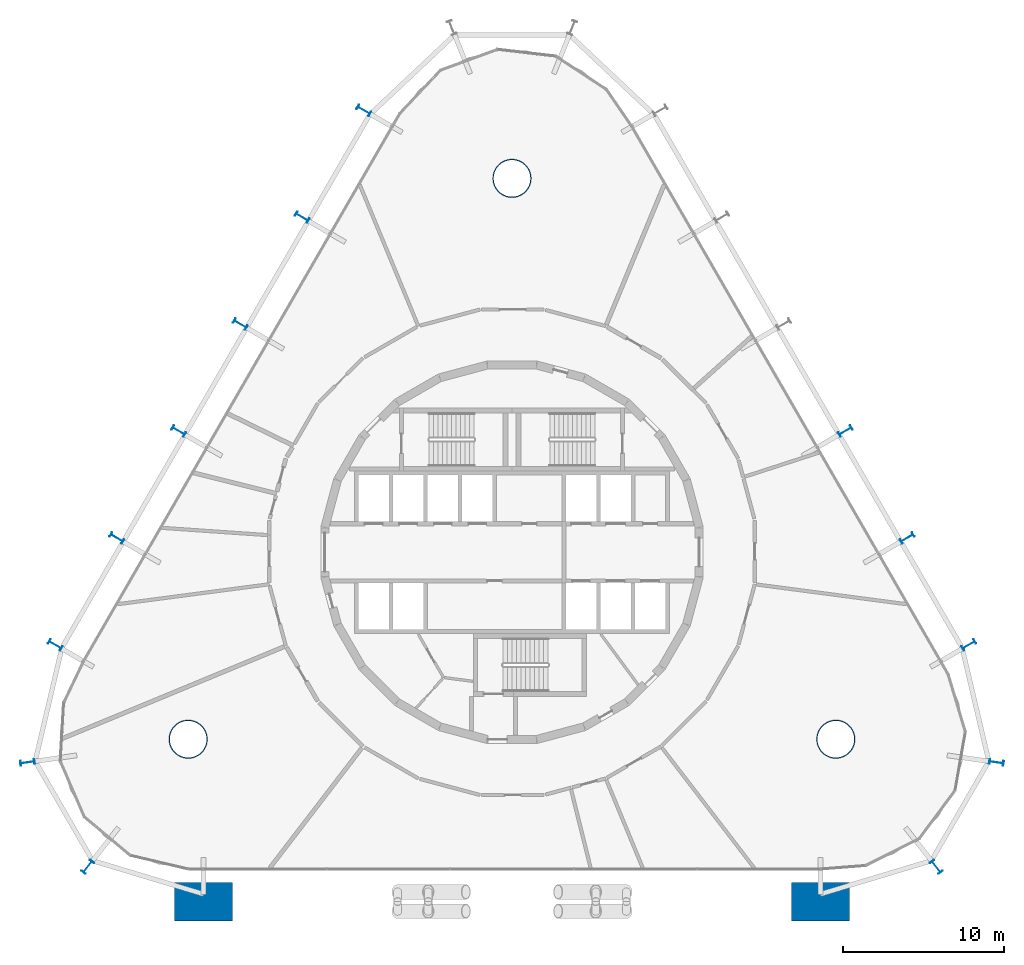
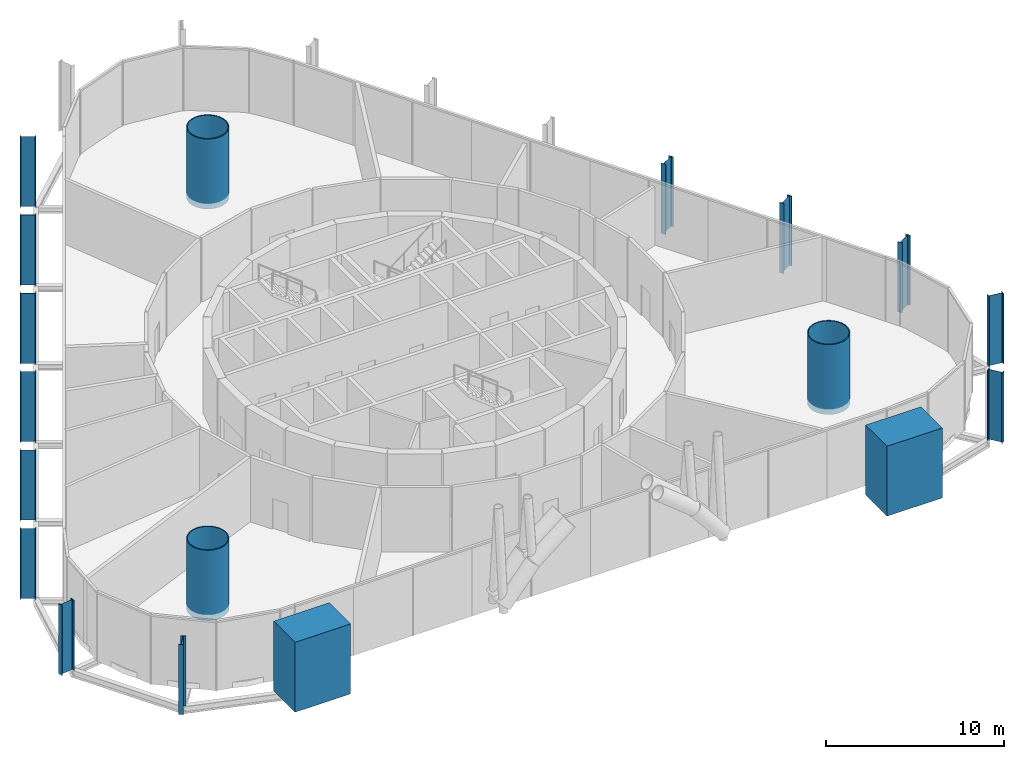
# One storey, part 1 of 17: 18 columns.
"""IFC4 building model written with IfcOpenShell, lengths in metres."""

import ifcopenshell
import ifcopenshell.guid

model = None  # the IFC model being written
_history = None  # IfcOwnerHistory: only IFC2X3 demands one
_inside = {}  # id of a spatial element -> (the spatial element, [elements in it])
_under = {}  # id of a project, library or spatial element -> (it, [spatial elements below it])
_declared = {}  # id of a project -> (the project, [libraries it declares])
_typed = {}  # id of a type object -> (the type object, [elements of that type])
_made_of = {}  # id of a material, layer set ... -> (it, [elements and type objects made of it])


def new_model(schema):
    """Start an empty IFC model of exactly this schema.

    Asked for "IFC4X3", IfcOpenShell would pick the latest addendum, in which some entities
    have other attributes; the version numbers below select the first issue.
    IFC2X3 requires an IfcOwnerHistory on every rooted entity: one is made here for all.
    """
    global model, _history
    if schema == "IFC4X3":
        model = ifcopenshell.file(schema_version=(4, 3, 0, 0))
    else:
        model = ifcopenshell.file(schema=schema)
    _inside.clear()
    _under.clear()
    _declared.clear()
    _typed.clear()
    _made_of.clear()
    _history = None
    if model.schema == "IFC2X3":
        org = make("IfcOrganization", Name="unknown")
        user = make(
            "IfcPersonAndOrganization",
            ThePerson=make("IfcPerson", FamilyName="unknown"),
            TheOrganization=org,
        )
        app = make(
            "IfcApplication",
            ApplicationDeveloper=org,
            Version="unknown",
            ApplicationFullName="unknown",
            ApplicationIdentifier="unknown",
        )
        _history = make(
            "IfcOwnerHistory",
            OwningUser=user,
            OwningApplication=app,
            ChangeAction="ADDED",
            CreationDate=0,
        )
    return model


def make(cls, **values):
    """One entity of the class cls with the attributes given. An attribute that is None is left unset."""
    return model.create_entity(
        cls, **{name: value for name, value in values.items() if value is not None}
    )


def rooted(cls, **values):
    """An entity with a GlobalId (a new one), such as an element, a storey or a relation."""
    return make(cls, GlobalId=ifcopenshell.guid.new(), OwnerHistory=_history, **values)


def si_unit(unit_type, name, prefix=None):
    """IfcSIUnit, for example si_unit("LENGTHUNIT", "METRE", prefix="MILLI")."""
    return make("IfcSIUnit", UnitType=unit_type, Prefix=prefix, Name=name)


def assignment(units):
    """IfcUnitAssignment: the units of a project."""
    return None if units is None else make("IfcUnitAssignment", Units=units)


def point(xyz):
    """IfcCartesianPoint."""
    return None if xyz is None else make("IfcCartesianPoint", Coordinates=xyz)


def direction(xyz):
    """IfcDirection."""
    return None if xyz is None else make("IfcDirection", DirectionRatios=xyz)


def frame(location, z_axis=None, x_axis=None):
    """IfcAxis2Placement3D, a coordinate frame: its origin and axes. An axis left out is left unset."""
    return make(
        "IfcAxis2Placement3D",
        Location=point(location),
        Axis=direction(z_axis),
        RefDirection=direction(x_axis),
    )


def frame_2d(location, x_axis=None):
    """IfcAxis2Placement2D, a coordinate frame in the plane: its origin and x axis."""
    return make(
        "IfcAxis2Placement2D", Location=point(location), RefDirection=direction(x_axis)
    )


def origin():
    """The frame at (0, 0, 0) with its axes left unset."""
    return frame((0.0, 0.0, 0.0))


def origin_2d():
    """The frame at (0, 0) in the plane with its x axis left unset."""
    return frame_2d((0.0, 0.0))


def place(relative_to, where):
    """IfcLocalPlacement: puts the frame where relative to a parent placement (None: the world)."""
    return make(
        "IfcLocalPlacement", PlacementRelTo=relative_to, RelativePlacement=where
    )


def context(
    kind, dimensions, precision=None, world=None, true_north=None, identifier=None
):
    """IfcGeometricRepresentationContext, for example the 3D "Model" context."""
    return make(
        "IfcGeometricRepresentationContext",
        ContextIdentifier=identifier,
        ContextType=kind,
        CoordinateSpaceDimension=dimensions,
        Precision=precision,
        WorldCoordinateSystem=world,
        TrueNorth=true_north,
    )


def subcontext(parent, identifier, kind, view, scale=None):
    """IfcGeometricRepresentationSubContext, for example "Body" below "Model"."""
    return make(
        "IfcGeometricRepresentationSubContext",
        ContextIdentifier=identifier,
        ContextType=kind,
        ParentContext=parent,
        TargetScale=scale,
        TargetView=view,
    )


def project(units=None, contexts=None):
    """IfcProject with its units and contexts."""
    return rooted(
        "IfcProject",
        Name="project",
        RepresentationContexts=contexts,
        UnitsInContext=assignment(units),
    )


def spatial(cls, under=None, at=None, **own):
    """A site, building, storey or space (cls), placed at a placement, below another one or the project."""
    s = rooted(cls, ObjectPlacement=at, **own)
    if under is not None:
        _under.setdefault(under.id(), (under, []))[1].append(s)
    return s


def profile(cls, at=None, kind="AREA", **sizes):
    """A parametric profile (cls). Its sizes go by their IFC names, for example OverallWidth=200.0."""
    return make(cls, ProfileType=kind, Position=at, **sizes)


def rectangle(**sizes):
    """IfcRectangleProfileDef."""
    return profile("IfcRectangleProfileDef", **sizes)


def hollow_circle(**sizes):
    """IfcCircleHollowProfileDef."""
    return profile("IfcCircleHollowProfileDef", **sizes)


def i_section(**sizes):
    """IfcIShapeProfileDef."""
    return profile("IfcIShapeProfileDef", **sizes)


def extrude(swept, where, along, depth):
    """IfcExtrudedAreaSolid: the profile swept, set in the frame where, extruded along a direction by depth."""
    return make(
        "IfcExtrudedAreaSolid",
        SweptArea=swept,
        Position=where,
        ExtrudedDirection=direction(along),
        Depth=depth,
    )


def shape(context_of_items, identifier, shape_type, items):
    """IfcShapeRepresentation: the items that make up one representation, for example the "Body"."""
    return make(
        "IfcShapeRepresentation",
        ContextOfItems=context_of_items,
        RepresentationIdentifier=identifier,
        RepresentationType=shape_type,
        Items=items,
    )


def material(Name=None, Category=None):
    """IfcMaterial."""
    return make("IfcMaterial", Name=Name, Category=Category)


def material_profile(
    of_material, cross_section, Name=None, Category=None, Priority=None
):
    """IfcMaterialProfile: a cross section and its material."""
    return make(
        "IfcMaterialProfile",
        Name=Name,
        Material=of_material,
        Profile=cross_section,
        Priority=Priority,
        Category=Category,
    )


def profile_set(profiles, Name=None, composite=None):
    """IfcMaterialProfileSet."""
    return make(
        "IfcMaterialProfileSet",
        Name=Name,
        MaterialProfiles=profiles,
        CompositeProfile=composite,
    )


def made_of(thing, what):
    """Note that an element or type object is made of a material, layer set ...; save() writes the relation."""
    if what is not None:
        _made_of.setdefault(what.id(), (what, []))[1].append(thing)
    return thing


def type_object(cls, material=None, **own):
    """A type object (cls), such as IfcWallType, which elements share."""
    return made_of(rooted(cls, **own), material)


def element(
    cls,
    number,
    at=None,
    inside=None,
    cuts=None,
    type_object=None,
    material=None,
    context=None,
    identifier="Body",
    shape_type=None,
    held_by="IfcProductDefinitionShape",
    body=None,
    shapes=None,
    **own,
):
    """One element of the class cls, such as IfcWall. Its Tag is "e" and its number.

    at: its placement. inside: the storey or other place that contains it. cuts: it is an
    opening in that element (IfcRelVoidsElement). A single representation is given by context,
    identifier, shape_type and body (its items); several are given by shapes. held_by: the class
    of the entity that holds the representations. save() writes the other relations.
    """
    e = rooted(cls, Tag="e%d" % number, ObjectPlacement=at, **own)
    if body is not None:
        shapes = [shape(context, identifier, shape_type, body)]
    if shapes is not None:
        e.Representation = make(held_by, Representations=shapes)
    if inside is not None:
        _inside.setdefault(inside.id(), (inside, []))[1].append(e)
    if cuts is not None:
        rooted(
            "IfcRelVoidsElement", RelatingBuildingElement=cuts, RelatedOpeningElement=e
        )
    if type_object is not None:
        _typed.setdefault(type_object.id(), (type_object, []))[1].append(e)
    return made_of(e, material)


def aggregate(whole, parts):
    """IfcRelAggregates: a whole, such as a stair, and the parts it consists of."""
    return rooted("IfcRelAggregates", RelatingObject=whole, RelatedObjects=parts)


def save(model, path):
    """Write the relations noted so far, then the file.

    IfcRelAggregates (storeys below a building ...), IfcRelContainedInSpatialStructure (elements
    in a storey), IfcRelDefinesByType, IfcRelAssociatesMaterial and IfcRelDeclares: one each for
    every whole, place, type object, material and project.
    """
    for whole, parts in _under.values():
        aggregate(whole, parts)
    for where, things in _inside.values():
        rooted(
            "IfcRelContainedInSpatialStructure",
            RelatedElements=things,
            RelatingStructure=where,
        )
    for kind, things in _typed.values():
        rooted("IfcRelDefinesByType", RelatedObjects=things, RelatingType=kind)
    for what, things in _made_of.values():
        rooted("IfcRelAssociatesMaterial", RelatedObjects=things, RelatingMaterial=what)
    for by, libraries in _declared.values():
        rooted("IfcRelDeclares", RelatingContext=by, RelatedDefinitions=libraries)
    model.write(path)


model = new_model("IFC4")

# Units and contexts
model_context = context("Model", 3, precision=1e-05, world=origin(), true_north=direction((0.0, 1.0)))
body_context = subcontext(model_context, "Body", "Model", "MODEL_VIEW")
ifc_project = project(units=[si_unit("LENGTHUNIT", "METRE"), si_unit("AREAUNIT", "SQUARE_METRE"), si_unit("VOLUMEUNIT", "CUBIC_METRE"), si_unit("PLANEANGLEUNIT", "RADIAN"), si_unit("MASSUNIT", "GRAM", prefix="KILO")], contexts=[model_context])

# Site, building, storey
site_placement = place(None, origin())
site = spatial("IfcSite", under=ifc_project, at=site_placement, CompositionType="ELEMENT")
building_placement = place(site_placement, origin())
building = spatial("IfcBuilding", under=site, at=building_placement, Name="Spindle Arch Residences", CompositionType="ELEMENT")
storey_placement = place(building_placement, frame((0.0, 0.0, 23.39990234375)))
storey = spatial("IfcBuildingStorey", under=building, at=storey_placement, Name="L04", CompositionType="ELEMENT", Elevation=23.39990234375)

# Columns
ifc_material_1 = material(Name="Concrete C50/60", Category="concrete")
ifc_material_profile_1 = material_profile(ifc_material_1, rectangle(XDim=3.60009765625, YDim=2.39990234375, at=origin_2d()), Name="RC 3600x2400")
ifc_profile_set_1 = profile_set([ifc_material_profile_1], Name="Concrete C50/60")
column_type_1 = type_object("IfcColumnType", Name="Arcade pier RC 3600x2400", PredefinedType="COLUMN", material=ifc_profile_set_1)
for number, where, z_axis, x_axis, name in (
    (1, (-19.2001953125, -21.72998046875, -0.3798828125), (0.0, 0.0, 1.0), (1.0, 0.0, 0.0), "Arcade pier W"),
    (2, (19.2001953125, -21.72998046875, -0.3798828125), (0.0, 0.0, 1.0), (1.0, 0.0, 0.0), "Arcade pier E"),
):
    element("IfcColumn", number, at=place(storey_placement, frame(where, z_axis=z_axis, x_axis=x_axis)), inside=storey, type_object=column_type_1, Name=name, PredefinedType="COLUMN", context=body_context, shape_type="SweptSolid", body=[
        extrude(rectangle(XDim=3.60009765625, YDim=2.39990234375, at=origin_2d()), origin(), (0.0, 0.0, 1.0), 4.800048828125),
    ])
ifc_material_2 = material(Name="Steel S460ML, intumescent coating R 240", Category="steel")
ifc_material_profile_2 = material_profile(ifc_material_2, i_section(OverallWidth=0.300048828125, OverallDepth=0.89990234375, WebThickness=0.0185546875, FlangeThickness=0.034912109375, FilletRadius=0.030029296875, at=origin_2d()), Name="HEB 900")
ifc_profile_set_2 = profile_set([ifc_material_profile_2], Name="Steel S460ML, intumescent coating R 240")
column_type_2 = type_object("IfcColumnType", Name="Exoskeleton post HEB 900", PredefinedType="COLUMN", material=ifc_profile_set_2)
for number, where, z_axis, x_axis, name in (
    (3, (26.3916015625, -19.565185546875, -0.3798828125), (0.0, 0.0, 1.0), (-0.7856835335, -0.618628632693, 0.0), "Exoskeleton post 4"),
    (4, (30.139892578125, -13.0732421875, -0.3798828125), (0.0, 0.0, 1.0), (-0.142906037553, -0.989736260036, 0.0), "Exoskeleton post 5"),
    (5, (28.418701171875, -5.762939453125, -0.3798828125), (0.0, 0.0, 1.0), (0.50000017485, -0.866025302835, 0.0), "Exoskeleton post 6"),
    (6, (24.57861328125, 0.88818359375, -0.3798828125), (0.0, 0.0, 1.0), (0.50000017485, -0.866025302835, 0.0), "Exoskeleton post 7"),
    (7, (20.73876953125, 7.539306640625, -0.3798828125), (0.0, 0.0, 1.0), (0.50000017485, -0.866025302835, 0.0), "Exoskeleton post 8"),
    (8, (-9.218505859375, 27.492919921875, -0.3798828125), (0.0, 0.0, 1.0), (0.50000017485, 0.866025302835, 0.0), "Exoskeleton post 14"),
    (9, (-13.05859375, 20.841796875, -0.3798828125), (0.0, 0.0, 1.0), (0.50000017485, 0.866025302835, 0.0), "Exoskeleton post 15"),
    (10, (-16.898681640625, 14.1904296875, -0.3798828125), (0.0, 0.0, 1.0), (0.50000017485, 0.866025302835, 0.0), "Exoskeleton post 16"),
    (11, (-20.73876953125, 7.539306640625, -0.3798828125), (0.0, 0.0, 1.0), (0.50000017485, 0.866025302835, 0.0), "Exoskeleton post 17"),
    (12, (-24.57861328125, 0.88818359375, -0.3798828125), (0.0, 0.0, 1.0), (0.50000017485, 0.866025302835, 0.0), "Exoskeleton post 18"),
    (13, (-28.418701171875, -5.762939453125, -0.3798828125), (0.0, 0.0, 1.0), (0.50000017485, 0.866025302835, 0.0), "Exoskeleton post 19"),
    (14, (-30.139892578125, -13.0732421875, -0.3798828125), (0.0, 0.0, 1.0), (-0.142906037553, 0.989736260036, 0.0), "Exoskeleton post 20"),
    (15, (-26.3916015625, -19.565185546875, -0.3798828125), (0.0, 0.0, 1.0), (-0.7856835335, 0.618628632693, 0.0), "Exoskeleton post 21"),
):
    element("IfcColumn", number, at=place(storey_placement, frame(where, z_axis=z_axis, x_axis=x_axis)), inside=storey, type_object=column_type_2, Name=name, PredefinedType="COLUMN", context=body_context, shape_type="SweptSolid", body=[
        extrude(i_section(OverallWidth=0.300048828125, OverallDepth=0.89990234375, WebThickness=0.0185546875, FlangeThickness=0.034912109375, FilletRadius=0.030029296875, at=origin_2d()), origin(), (0.0, 0.0, 1.0), 4.800048828125),
    ])
ifc_material_3 = material(Name="Concrete C50/60 filled steel tube S460ML, intumescent coating R 240", Category="concrete")
ifc_material_profile_3 = material_profile(ifc_material_3, hollow_circle(Radius=1.199951171875, WallThickness=0.06005859375, at=origin_2d()), Name="CFT D2400x60")
ifc_profile_set_3 = profile_set([ifc_material_profile_3], Name="Concrete C50/60 filled steel tube S460ML, intumescent coating R 240")
column_type_3 = type_object("IfcColumnType", Name="Mega-column CFT D2400x60", PredefinedType="COLUMN", material=ifc_profile_set_3)
for number, where, z_axis, x_axis, name in (
    (16, (20.1435546875, -11.6298828125, -0.3798828125), (0.0, 0.0, 1.0), (1.0, 0.0, 0.0), "Mega-column 1"),
    (17, (0.0, 23.259765625, -0.3798828125), (0.0, 0.0, 1.0), (1.0, 0.0, 0.0), "Mega-column 2"),
    (18, (-20.1435546875, -11.6298828125, -0.3798828125), (0.0, 0.0, 1.0), (1.0, 0.0, 0.0), "Mega-column 3"),
):
    element("IfcColumn", number, at=place(storey_placement, frame(where, z_axis=z_axis, x_axis=x_axis)), inside=storey, type_object=column_type_3, Name=name, PredefinedType="COLUMN", context=body_context, shape_type="SweptSolid", body=[
        extrude(hollow_circle(Radius=1.199951171875, WallThickness=0.06005859375, at=origin_2d()), origin(), (0.0, 0.0, 1.0), 4.800048828125),
    ])

save(model, "model.ifc")
